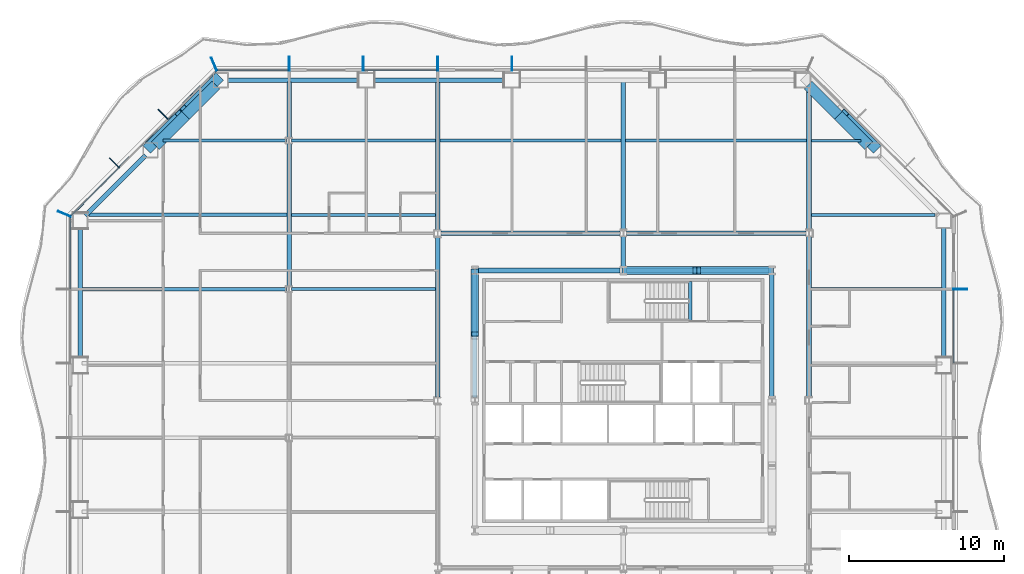
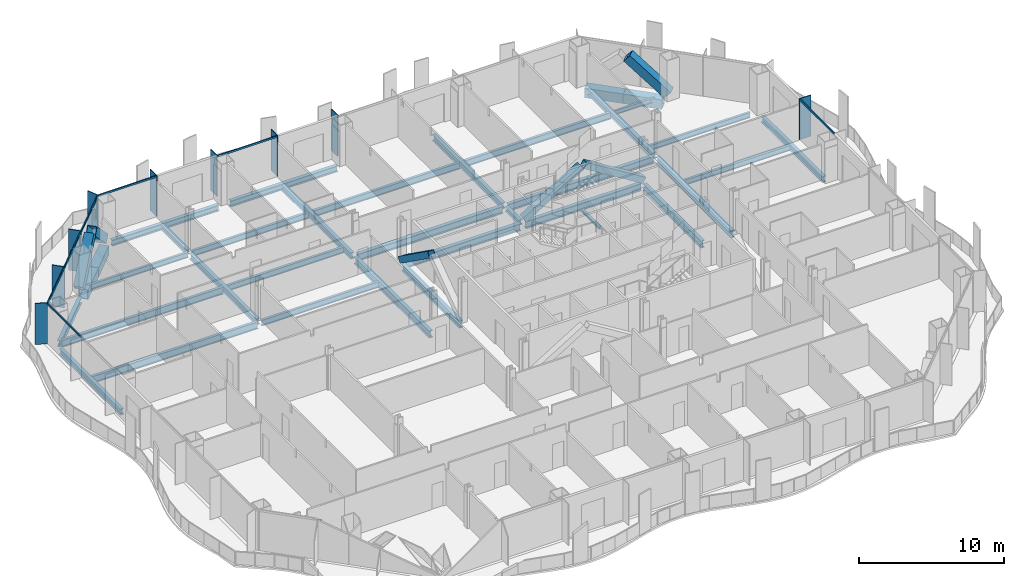
# One storey, part 3 of 20: 35 beams, 22 members, 4 elements without a shape of their own.
"""IFC4 building model written with IfcOpenShell, lengths in metres."""

from ifc_helpers import new_model, si_unit, direction, frame, origin, origin_2d, place, context, subcontext, project, spatial, rectangle, hollow_rectangle, i_section, extrude, material, material_profile, profile_set, type_object, element, aggregate, save


model = new_model("IFC4")

# Units and contexts
model_context = context("Model", 3, precision=1e-05, world=origin(), true_north=direction((0.0, 1.0)))
body_context = subcontext(model_context, "Body", "Model", "MODEL_VIEW")
ifc_project = project(units=[si_unit("LENGTHUNIT", "METRE"), si_unit("AREAUNIT", "SQUARE_METRE"), si_unit("VOLUMEUNIT", "CUBIC_METRE"), si_unit("PLANEANGLEUNIT", "RADIAN"), si_unit("MASSUNIT", "GRAM", prefix="KILO")], contexts=[model_context])

# Site, building, storey
site_placement = place(None, origin())
site = spatial("IfcSite", under=ifc_project, at=site_placement, CompositionType="ELEMENT")
building_placement = place(site_placement, origin())
building = spatial("IfcBuilding", under=site, at=building_placement, Name="Cairn Pilgrim Tower", CompositionType="ELEMENT")
storey_placement = place(building_placement, frame((0.0, 0.0, 61.800048828125)))
storey = spatial("IfcBuildingStorey", under=building, at=storey_placement, Name="L13", CompositionType="ELEMENT", Elevation=61.800048828125)

# Members
ifc_material_1 = material(Name="Structural steel S460M", Category="steel")
ifc_material_profile_1 = material_profile(ifc_material_1, hollow_rectangle(XDim=0.5, YDim=0.5, WallThickness=0.030029296875, at=origin_2d()), Name="BOX 500x500x30")
ifc_profile_set_1 = profile_set([ifc_material_profile_1], Name="Structural steel S460M")
member_type_1 = type_object("IfcMemberType", Name="BOX 500x500x30 BRACE", PredefinedType="BRACE", material=ifc_profile_set_1)
member_1_placement = place(storey_placement, frame((16.754638671875, 10.800048828125, 0.099853515625), z_axis=(-0.850917090612, 0.0, 0.525300014187), x_axis=(0.0, -1.0, 0.0)))
element("IfcMember", 1, at=member_1_placement, inside=storey, type_object=member_type_1, Name="KB-3A", PredefinedType="BRACE", context=body_context, shape_type="SweptSolid", body=[
    extrude(hollow_rectangle(XDim=0.5, YDim=0.5, WallThickness=0.030029296875, at=origin_2d()), origin(), (0.0, 0.0, 1.0), 5.525146484375),
])
member_2_placement = place(storey_placement, frame((7.245361328125, 10.800048828125, 0.099853515625), z_axis=(0.850919818074, 0.0, 0.52529559603), x_axis=(0.0, 1.0, 0.0)))
element("IfcMember", 2, at=member_2_placement, inside=storey, type_object=member_type_1, Name="KB-3B", PredefinedType="BRACE", context=body_context, shape_type="SweptSolid", body=[
    extrude(hollow_rectangle(XDim=0.5, YDim=0.5, WallThickness=0.030029296875, at=origin_2d()), origin(), (0.0, 0.0, 1.0), 5.375),
])
member_3_placement = place(storey_placement, frame((-2.39990234375, 10.754638671875, 0.099853515625), z_axis=(0.0, -0.814060275911, 0.580780394972), x_axis=(1.0, 0.0, 0.0)))
element("IfcMember", 3, at=member_3_placement, inside=storey, type_object=member_type_1, Name="KB-4A", PredefinedType="BRACE", context=body_context, shape_type="SweptSolid", body=[
    extrude(hollow_rectangle(XDim=0.5, YDim=0.5, WallThickness=0.030029296875, at=origin_2d()), origin(), (0.0, 0.0, 1.0), 4.9951171875),
])
ifc_material_profile_2 = material_profile(ifc_material_1, hollow_rectangle(XDim=0.699951171875, YDim=0.699951171875, WallThickness=0.0400390625, at=origin_2d()), Name="BOX 700x700x40")
ifc_profile_set_2 = profile_set([ifc_material_profile_2], Name="Structural steel S460M")
member_type_2 = type_object("IfcMemberType", Name="BOX 700x700x40 BRACE", PredefinedType="BRACE", material=ifc_profile_set_2)
member_4_placement = place(storey_placement, frame((23.44482421875, 18.786376953125, 0.14990234375), z_axis=(-0.528068439288, 0.528068439288, 0.665046950866), x_axis=(-0.707106781187, -0.707106781187, 0.0)))
element("IfcMember", 4, at=member_4_placement, inside=storey, type_object=member_type_2, Name="XB-NE2-N1-1", PredefinedType="BRACE", context=body_context, shape_type="SweptSolid", body=[
    extrude(hollow_rectangle(XDim=0.699951171875, YDim=0.699951171875, WallThickness=0.0400390625, at=origin_2d()), origin(), (0.0, 0.0, 1.0), 3.899658203125),
])
member_5_placement = place(storey_placement, frame((-19.0498046875, 23.181396484375, 0.14990234375), z_axis=(-0.528096125699, -0.528096125699, 0.665002980477), x_axis=(0.707106781187, -0.707106781187, 0.0)))
element("IfcMember", 5, at=member_5_placement, inside=storey, type_object=member_type_2, Name="XB-NW1-NW2-1", PredefinedType="BRACE", context=body_context, shape_type="SweptSolid", body=[
    extrude(hollow_rectangle(XDim=0.699951171875, YDim=0.699951171875, WallThickness=0.0400390625, at=origin_2d()), origin(), (0.0, 0.0, 1.0), 3.89990234375),
])
member_6_placement = place(storey_placement, frame((-23.44482421875, 18.786376953125, 0.14990234375), z_axis=(0.528068439288, 0.528068439288, 0.665046950866), x_axis=(-0.707106781187, 0.707106781187, 0.0)))
element("IfcMember", 6, at=member_6_placement, inside=storey, type_object=member_type_2, Name="XB-NW1-NW2-2", PredefinedType="BRACE", context=body_context, shape_type="SweptSolid", body=[
    extrude(hollow_rectangle(XDim=0.699951171875, YDim=0.699951171875, WallThickness=0.0400390625, at=origin_2d()), origin(), (0.0, 0.0, 1.0), 3.899658203125),
])

# Beams
ifc_material_2 = material(Name="Structural steel S355J2", Category="steel")
ifc_material_profile_3 = material_profile(ifc_material_2, hollow_rectangle(XDim=0.699951171875, YDim=0.800048828125, WallThickness=0.0400390625, at=origin_2d()), Name="BOX 700x800x40")
ifc_profile_set_3 = profile_set([ifc_material_profile_3], Name="Structural steel S355J2")
beam_type_1 = type_object("IfcBeamType", Name="BOX 700x800x40 RING GIRDER", PredefinedType="SPANDREL", material=ifc_profile_set_3)
for number, where, z_axis, x_axis, name in (
    (7, (23.04541015625, 18.8818359375, -0.550048828125), (-0.707106781187, 0.707106781187, 0.0), (-0.707106781187, -0.707106781187, 0.0), "RG1-NE2-N1-1"),
    (8, (21.095458984375, 20.831787109375, -0.550048828125), (-0.707106781187, 0.707106781187, 0.0), (-0.707106781187, -0.707106781187, 0.0), "RG1-NE2-N1-2"),
    (9, (-19.1455078125, 22.78173828125, -0.550048828125), (-0.707106781187, -0.707106781187, 0.0), (0.707106781187, -0.707106781187, 0.0), "RG1-NW1-NW2-1"),
    (10, (-21.095458984375, 20.831787109375, -0.550048828125), (-0.707106781187, -0.707106781187, 0.0), (0.707106781187, -0.707106781187, 0.0), "RG1-NW1-NW2-2"),
):
    element("IfcBeam", number, at=place(storey_placement, frame(where, z_axis=z_axis, x_axis=x_axis)), inside=storey, type_object=beam_type_1, Name=name, PredefinedType="SPANDREL", context=body_context, shape_type="SweptSolid", body=[
        extrude(hollow_rectangle(XDim=0.699951171875, YDim=0.800048828125, WallThickness=0.0400390625, at=origin_2d()), origin(), (0.0, 0.0, 1.0), 2.757568359375),
    ])

# Curtain wall, member
ifc_material_3 = material(Name="Aluminium alloy 6063-T6 bronze anodised with Bronze tinted laminated low-E glass 8+16+8.8", Category="aluminium")
curtain_wall_type_1 = type_object("IfcCurtainWallType", Name="TOWER STICK CURTAIN WALL EW", PredefinedType="NOTDEFINED", material=ifc_material_3)
curtain_wall_1_placement = place(storey_placement, origin())
curtain_wall_1 = element("IfcCurtainWall", 11, at=curtain_wall_1_placement, inside=storey, type_object=curtain_wall_type_1, Name="Tower Stick Curtain Wall Ew E", PredefinedType="NOTDEFINED")
ifc_material_4 = material(Name="Aluminium alloy 6063-T6 bronze anodised", Category="aluminium")
ifc_material_profile_4 = material_profile(ifc_material_4, rectangle(XDim=0.89990234375, YDim=0.06005859375, at=origin_2d()), Name="FIN MULLION 60x900 BRONZE")
ifc_profile_set_4 = profile_set([ifc_material_profile_4], Name="Aluminium alloy 6063-T6 bronze anodised")
member_type_3 = type_object("IfcMemberType", Name="FIN MULLION 60x900 BRONZE", PredefinedType="MULLION", material=ifc_profile_set_4)
member_7_placement = place(storey_placement, frame((28.969970703125, 9.60009765625, 0.0), z_axis=(0.0, 0.0, 1.0), x_axis=(1.0, 0.0, 0.0)))
member_7 = element("IfcMember", 12, at=member_7_placement, type_object=member_type_3, Name="Fin mullion E6", PredefinedType="MULLION", context=body_context, shape_type="SweptSolid", body=[
    extrude(rectangle(XDim=0.89990234375, YDim=0.06005859375, at=origin_2d()), origin(), (0.0, 0.0, 1.0), 3.449951171875),
])

# Curtain wall, members
curtain_wall_type_2 = type_object("IfcCurtainWallType", Name="TOWER STICK CURTAIN WALL NS", PredefinedType="NOTDEFINED", material=ifc_material_3)
curtain_wall_2_placement = place(storey_placement, origin())
curtain_wall_2 = element("IfcCurtainWall", 13, at=curtain_wall_2_placement, inside=storey, type_object=curtain_wall_type_2, Name="Tower Stick Curtain Wall Ns N", PredefinedType="NOTDEFINED")
member_8_placement = place(storey_placement, frame((0.0, 24.169921875, 0.0), z_axis=(0.0, 0.0, 1.0), x_axis=(0.0, 1.0, 0.0)))
member_8 = element("IfcMember", 14, at=member_8_placement, type_object=member_type_3, Name="Fin mullion N5", PredefinedType="MULLION", context=body_context, shape_type="SweptSolid", body=[
    extrude(rectangle(XDim=0.89990234375, YDim=0.06005859375, at=origin_2d()), origin(), (0.0, 0.0, 1.0), 3.449951171875),
])
member_9_placement = place(storey_placement, frame((-4.800048828125, 24.169921875, 0.0), z_axis=(0.0, 0.0, 1.0), x_axis=(0.0, 1.0, 0.0)))
member_9 = element("IfcMember", 15, at=member_9_placement, type_object=member_type_3, Name="Fin mullion N6", PredefinedType="MULLION", context=body_context, shape_type="SweptSolid", body=[
    extrude(rectangle(XDim=0.89990234375, YDim=0.06005859375, at=origin_2d()), origin(), (0.0, 0.0, 1.0), 3.449951171875),
])
member_10_placement = place(storey_placement, frame((-9.60009765625, 24.169921875, 0.0), z_axis=(0.0, 0.0, 1.0), x_axis=(0.0, 1.0, 0.0)))
member_10 = element("IfcMember", 16, at=member_10_placement, type_object=member_type_3, Name="Fin mullion N7", PredefinedType="MULLION", context=body_context, shape_type="SweptSolid", body=[
    extrude(rectangle(XDim=0.89990234375, YDim=0.06005859375, at=origin_2d()), origin(), (0.0, 0.0, 1.0), 3.449951171875),
])
member_11_placement = place(storey_placement, frame((-14.39990234375, 24.169921875, 0.0), z_axis=(0.0, 0.0, 1.0), x_axis=(0.0, 1.0, 0.0)))
member_11 = element("IfcMember", 17, at=member_11_placement, type_object=member_type_3, Name="Fin mullion N8", PredefinedType="MULLION", context=body_context, shape_type="SweptSolid", body=[
    extrude(rectangle(XDim=0.89990234375, YDim=0.06005859375, at=origin_2d()), origin(), (0.0, 0.0, 1.0), 3.449951171875),
])

curtain_wall_type_3 = type_object("IfcCurtainWallType", Name="CHAMFER CORNER CURTAIN WALL", PredefinedType="NOTDEFINED", material=ifc_material_3)
curtain_wall_3_placement = place(storey_placement, origin())
curtain_wall_3 = element("IfcCurtainWall", 18, at=curtain_wall_3_placement, inside=storey, type_object=curtain_wall_type_3, Name="Chamfer Corner Curtain Wall NW", PredefinedType="NOTDEFINED")
member_12_placement = place(storey_placement, frame((-19.257080078125, 24.137939453125, 0.0), z_axis=(0.0, 0.0, 1.0), x_axis=(-0.382683432365, 0.923879532511, 0.0)))
member_12 = element("IfcMember", 19, at=member_12_placement, type_object=member_type_3, Name="Fin mullion NW1", PredefinedType="MULLION", context=body_context, shape_type="SweptSolid", body=[
    extrude(rectangle(XDim=0.89990234375, YDim=0.06005859375, at=origin_2d()), origin(), (0.0, 0.0, 1.0), 3.449951171875),
])
member_13_placement = place(storey_placement, frame((-22.544677734375, 20.895751953125, 0.0), z_axis=(0.0, 0.0, 1.0), x_axis=(-0.707106781187, 0.707106781187, 0.0)))
member_13 = element("IfcMember", 20, at=member_13_placement, type_object=member_type_3, Name="Fin mullion NW2", PredefinedType="MULLION", context=body_context, shape_type="SweptSolid", body=[
    extrude(rectangle(XDim=0.89990234375, YDim=0.06005859375, at=origin_2d()), origin(), (0.0, 0.0, 1.0), 3.449951171875),
])
member_14_placement = place(storey_placement, frame((-25.69580078125, 17.74462890625, 0.0), z_axis=(0.0, 0.0, 1.0), x_axis=(-0.707106781187, 0.707106781187, 0.0)))
member_14 = element("IfcMember", 21, at=member_14_placement, type_object=member_type_3, Name="Fin mullion NW3", PredefinedType="MULLION", context=body_context, shape_type="SweptSolid", body=[
    extrude(rectangle(XDim=0.89990234375, YDim=0.06005859375, at=origin_2d()), origin(), (0.0, 0.0, 1.0), 3.449951171875),
])

# Curtain wall, member
curtain_wall_4_placement = place(storey_placement, origin())
curtain_wall_4 = element("IfcCurtainWall", 22, at=curtain_wall_4_placement, inside=storey, type_object=curtain_wall_type_1, Name="Tower Stick Curtain Wall Ew W", PredefinedType="NOTDEFINED")
member_15_placement = place(storey_placement, frame((-28.93798828125, 14.457275390625, 0.0), z_axis=(0.0, 0.0, 1.0), x_axis=(-0.923879532511, 0.382683432365, 0.0)))
member_15 = element("IfcMember", 23, at=member_15_placement, type_object=member_type_3, Name="Fin mullion W1", PredefinedType="MULLION", context=body_context, shape_type="SweptSolid", body=[
    extrude(rectangle(XDim=0.89990234375, YDim=0.06005859375, at=origin_2d()), origin(), (0.0, 0.0, 1.0), 3.449951171875),
])

# Beams
ifc_material_profile_5 = material_profile(ifc_material_2, i_section(OverallWidth=0.300048828125, OverallDepth=0.39990234375, WebThickness=0.013427734375, FlangeThickness=0.02392578125, FilletRadius=0.027099609375, at=origin_2d()), Name="HEB 400")
ifc_profile_set_5 = profile_set([ifc_material_profile_5], Name="Structural steel S355J2")
beam_type_2 = type_object("IfcBeamType", Name="HEB 400 GIRDER", PredefinedType="BEAM", material=ifc_profile_set_5)
beam_1_placement = place(storey_placement, frame((-14.39990234375, 19.404541015625, -0.35009765625), z_axis=(0.0, 1.0, 0.0), x_axis=(-1.0, 0.0, 0.0)))
element("IfcBeam", 24, at=beam_1_placement, inside=storey, type_object=beam_type_2, Name="PG1-6", PredefinedType="BEAM", context=body_context, shape_type="SweptSolid", body=[
    extrude(i_section(OverallWidth=0.300048828125, OverallDepth=0.39990234375, WebThickness=0.013427734375, FlangeThickness=0.02392578125, FilletRadius=0.027099609375, at=origin_2d()), origin(), (0.0, 0.0, 1.0), 3.575439453125),
])
beam_2_placement = place(storey_placement, frame((7.199951171875, 11.027099609375, -0.35009765625), z_axis=(0.0, 1.0, 0.0), x_axis=(-1.0, 0.0, 0.0)))
element("IfcBeam", 25, at=beam_2_placement, inside=storey, type_object=beam_type_2, Name="PG3-E2", PredefinedType="BEAM", context=body_context, shape_type="SweptSolid", body=[
    extrude(i_section(OverallWidth=0.300048828125, OverallDepth=0.39990234375, WebThickness=0.013427734375, FlangeThickness=0.02392578125, FilletRadius=0.027099609375, at=origin_2d()), origin(), (0.0, 0.0, 1.0), 1.9609375),
])
ifc_material_profile_6 = material_profile(ifc_material_2, i_section(OverallWidth=0.300048828125, OverallDepth=0.5, WebThickness=0.014404296875, FlangeThickness=0.028076171875, FilletRadius=0.027099609375, at=origin_2d()), Name="HEB 500")
ifc_profile_set_6 = profile_set([ifc_material_profile_6], Name="Structural steel S355J2")
beam_type_3 = type_object("IfcBeamType", Name="HEB 500 GIRDER", PredefinedType="BEAM", material=ifc_profile_set_6)
beam_3_placement = place(storey_placement, frame((-14.39990234375, 9.804443359375, -0.400146484375), z_axis=(0.0, 1.0, 0.0), x_axis=(-1.0, 0.0, 0.0)))
element("IfcBeam", 26, at=beam_3_placement, inside=storey, type_object=beam_type_3, Name="PG1-5", PredefinedType="BEAM", context=body_context, shape_type="SweptSolid", body=[
    extrude(i_section(OverallWidth=0.300048828125, OverallDepth=0.5, WebThickness=0.014404296875, FlangeThickness=0.028076171875, FilletRadius=0.027099609375, at=origin_2d()), origin(), (0.0, 0.0, 1.0), 9.191162109375),
])
for number, where, z_axis, x_axis, name in (
    (27, (-4.800048828125, 13.412109375, -0.400146484375), (0.0, 1.0, 0.0), (-1.0, 0.0, 0.0), "PG2-4"),
    (28, (7.199951171875, 13.412109375, -0.400146484375), (0.0, 1.0, 0.0), (-1.0, 0.0, 0.0), "PG3-2"),
):
    element("IfcBeam", number, at=place(storey_placement, frame(where, z_axis=z_axis, x_axis=x_axis)), inside=storey, type_object=beam_type_3, Name=name, PredefinedType="BEAM", context=body_context, shape_type="SweptSolid", body=[
        extrude(i_section(OverallWidth=0.300048828125, OverallDepth=0.5, WebThickness=0.014404296875, FlangeThickness=0.028076171875, FilletRadius=0.027099609375, at=origin_2d()), origin(), (0.0, 0.0, 1.0), 9.56787109375),
    ])
beam_4_placement = place(storey_placement, frame((19.199951171875, 13.412109375, -0.400146484375), z_axis=(0.0, 1.0, 0.0), x_axis=(-1.0, 0.0, 0.0)))
element("IfcBeam", 29, at=beam_4_placement, inside=storey, type_object=beam_type_3, Name="PG4-4", PredefinedType="BEAM", context=body_context, shape_type="SweptSolid", body=[
    extrude(i_section(OverallWidth=0.300048828125, OverallDepth=0.5, WebThickness=0.014404296875, FlangeThickness=0.028076171875, FilletRadius=0.027099609375, at=origin_2d()), origin(), (0.0, 0.0, 1.0), 9.133056640625),
])
ifc_material_profile_7 = material_profile(ifc_material_2, i_section(OverallWidth=0.300048828125, OverallDepth=0.5, WebThickness=0.014404296875, FlangeThickness=0.028076171875, FilletRadius=0.027099609375, at=origin_2d()), Name="HEB 500")
ifc_profile_set_7 = profile_set([ifc_material_profile_7], Name="Structural steel S355J2")
beam_type_4 = type_object("IfcBeamType", Name="HEB 500 RING GIRDER", PredefinedType="SPANDREL", material=ifc_profile_set_7)
beam_5_placement = place(storey_placement, frame((27.89990234375, 5.125732421875, -0.400146484375), z_axis=(0.0, 1.0, 0.0), x_axis=(-1.0, 0.0, 0.0)))
element("IfcBeam", 30, at=beam_5_placement, inside=storey, type_object=beam_type_4, Name="RG1-E3-NE1", PredefinedType="SPANDREL", context=body_context, shape_type="SweptSolid", body=[
    extrude(i_section(OverallWidth=0.300048828125, OverallDepth=0.5, WebThickness=0.014404296875, FlangeThickness=0.028076171875, FilletRadius=0.027099609375, at=origin_2d()), origin(), (0.0, 0.0, 1.0), 8.451416015625),
])
for number, where, z_axis, x_axis, name in (
    (31, (-0.449951171875, 23.10009765625, -0.400146484375), (-1.0, 0.0, 0.0), (0.0, -1.0, 0.0), "RG1-N3-N4"),
    (32, (-9.863525390625, 23.10009765625, -0.400146484375), (-1.0, 0.0, 0.0), (0.0, -1.0, 0.0), "RG1-N4-NW1"),
):
    element("IfcBeam", number, at=place(storey_placement, frame(where, z_axis=z_axis, x_axis=x_axis)), inside=storey, type_object=beam_type_4, Name=name, PredefinedType="SPANDREL", context=body_context, shape_type="SweptSolid", body=[
        extrude(i_section(OverallWidth=0.300048828125, OverallDepth=0.5, WebThickness=0.014404296875, FlangeThickness=0.028076171875, FilletRadius=0.027099609375, at=origin_2d()), origin(), (0.0, 0.0, 1.0), 8.513671875),
    ])
beam_6_placement = place(storey_placement, frame((-23.681884765625, 18.245361328125, -0.400146484375), z_axis=(-0.707106781187, -0.707106781187, 0.0), x_axis=(0.707106781187, -0.707106781187, 0.0)))
element("IfcBeam", 33, at=beam_6_placement, inside=storey, type_object=beam_type_4, Name="RG1-NW2-W1", PredefinedType="SPANDREL", context=body_context, shape_type="SweptSolid", body=[
    extrude(i_section(OverallWidth=0.300048828125, OverallDepth=0.5, WebThickness=0.014404296875, FlangeThickness=0.028076171875, FilletRadius=0.027099609375, at=origin_2d()), origin(), (0.0, 0.0, 1.0), 5.515380859375),
])
beam_7_placement = place(storey_placement, frame((-27.89990234375, 13.5771484375, -0.400146484375), z_axis=(0.0, -1.0, 0.0), x_axis=(1.0, 0.0, 0.0)))
element("IfcBeam", 34, at=beam_7_placement, inside=storey, type_object=beam_type_4, Name="RG1-W1-W2", PredefinedType="SPANDREL", context=body_context, shape_type="SweptSolid", body=[
    extrude(i_section(OverallWidth=0.300048828125, OverallDepth=0.5, WebThickness=0.014404296875, FlangeThickness=0.028076171875, FilletRadius=0.027099609375, at=origin_2d()), origin(), (0.0, 0.0, 1.0), 8.451416015625),
])
ifc_material_profile_8 = material_profile(ifc_material_2, i_section(OverallWidth=0.300048828125, OverallDepth=0.60009765625, WebThickness=0.015380859375, FlangeThickness=0.030029296875, FilletRadius=0.027099609375, at=origin_2d()), Name="HEB 600")
ifc_profile_set_8 = profile_set([ifc_material_profile_8], Name="Structural steel S355J2")
beam_type_5 = type_object("IfcBeamType", Name="HEB 600 CORE BEAM", PredefinedType="BEAM", material=ifc_profile_set_8)
beam_8_placement = place(storey_placement, frame((16.800048828125, 2.604248046875, -0.449951171875), z_axis=(0.0, 1.0, 0.0), x_axis=(-1.0, 0.0, 0.0)))
element("IfcBeam", 35, at=beam_8_placement, inside=storey, type_object=beam_type_5, Name="CB-4", PredefinedType="BEAM", context=body_context, shape_type="SweptSolid", body=[
    extrude(i_section(OverallWidth=0.300048828125, OverallDepth=0.60009765625, WebThickness=0.015380859375, FlangeThickness=0.030029296875, FilletRadius=0.027099609375, at=origin_2d()), origin(), (0.0, 0.0, 1.0), 7.991455078125),
])
for number, where, z_axis, x_axis, name in (
    (36, (16.595703125, 10.800048828125, -0.449951171875), (-1.0, 0.0, 0.0), (0.0, -1.0, 0.0), "CB-5"),
    (37, (6.99560546875, 10.800048828125, -0.449951171875), (-1.0, 0.0, 0.0), (0.0, -1.0, 0.0), "CB-6"),
):
    element("IfcBeam", number, at=place(storey_placement, frame(where, z_axis=z_axis, x_axis=x_axis)), inside=storey, type_object=beam_type_5, Name=name, PredefinedType="BEAM", context=body_context, shape_type="SweptSolid", body=[
        extrude(i_section(OverallWidth=0.300048828125, OverallDepth=0.60009765625, WebThickness=0.015380859375, FlangeThickness=0.030029296875, FilletRadius=0.027099609375, at=origin_2d()), origin(), (0.0, 0.0, 1.0), 9.19140625),
    ])
beam_9_placement = place(storey_placement, frame((-2.39990234375, 10.595703125, -0.449951171875), z_axis=(0.0, -1.0, 0.0), x_axis=(1.0, 0.0, 0.0)))
element("IfcBeam", 38, at=beam_9_placement, inside=storey, type_object=beam_type_5, Name="CB-7", PredefinedType="BEAM", context=body_context, shape_type="SweptSolid", body=[
    extrude(i_section(OverallWidth=0.300048828125, OverallDepth=0.60009765625, WebThickness=0.015380859375, FlangeThickness=0.030029296875, FilletRadius=0.027099609375, at=origin_2d()), origin(), (0.0, 0.0, 1.0), 7.991455078125),
])
ifc_material_profile_9 = material_profile(ifc_material_2, i_section(OverallWidth=0.300048828125, OverallDepth=0.60009765625, WebThickness=0.015380859375, FlangeThickness=0.030029296875, FilletRadius=0.027099609375, at=origin_2d()), Name="HEB 600")
ifc_profile_set_9 = profile_set([ifc_material_profile_9], Name="Structural steel S355J2")
beam_type_6 = type_object("IfcBeamType", Name="HEB 600 GIRDER", PredefinedType="BEAM", material=ifc_profile_set_9)
for number, where, z_axis, x_axis, name in (
    (39, (-4.800048828125, 2.612060546875, -0.449951171875), (0.0, 1.0, 0.0), (-1.0, 0.0, 0.0), "PG2-3"),
    (40, (19.199951171875, 2.612060546875, -0.449951171875), (0.0, 1.0, 0.0), (-1.0, 0.0, 0.0), "PG4-3"),
):
    element("IfcBeam", number, at=place(storey_placement, frame(where, z_axis=z_axis, x_axis=x_axis)), inside=storey, type_object=beam_type_6, Name=name, PredefinedType="BEAM", context=body_context, shape_type="SweptSolid", body=[
        extrude(i_section(OverallWidth=0.300048828125, OverallDepth=0.60009765625, WebThickness=0.015380859375, FlangeThickness=0.030029296875, FilletRadius=0.027099609375, at=origin_2d()), origin(), (0.0, 0.0, 1.0), 10.3759765625),
    ])
ifc_material_profile_10 = material_profile(ifc_material_2, i_section(OverallWidth=0.300048828125, OverallDepth=0.60009765625, WebThickness=0.015380859375, FlangeThickness=0.030029296875, FilletRadius=0.027099609375, at=origin_2d()), Name="HEB 600")
ifc_profile_set_10 = profile_set([ifc_material_profile_10], Name="Structural steel S355J2")
beam_type_7 = type_object("IfcBeamType", Name="HEB 600 INNER GIRDER", PredefinedType="BEAM", material=ifc_profile_set_10)
for number, where, z_axis, x_axis, name in (
    (41, (-4.587890625, 13.199951171875, -0.449951171875), (1.0, 0.0, 0.0), (0.0, 1.0, 0.0), "IG2-1"),
    (42, (7.412109375, 13.199951171875, -0.449951171875), (1.0, 0.0, 0.0), (0.0, 1.0, 0.0), "IG2-2"),
):
    element("IfcBeam", number, at=place(storey_placement, frame(where, z_axis=z_axis, x_axis=x_axis)), inside=storey, type_object=beam_type_7, Name=name, PredefinedType="BEAM", context=body_context, shape_type="SweptSolid", body=[
        extrude(i_section(OverallWidth=0.300048828125, OverallDepth=0.60009765625, WebThickness=0.015380859375, FlangeThickness=0.030029296875, FilletRadius=0.027099609375, at=origin_2d()), origin(), (0.0, 0.0, 1.0), 11.575927734375),
    ])
ifc_material_profile_11 = material_profile(ifc_material_2, i_section(OverallWidth=0.169921875, OverallDepth=0.360107421875, WebThickness=0.008056640625, FlangeThickness=0.0126953125, FilletRadius=0.01806640625, at=origin_2d()), Name="IPE 360")
ifc_profile_set_11 = profile_set([ifc_material_profile_11], Name="Structural steel S355J2")
beam_type_8 = type_object("IfcBeamType", Name="IPE 360 SECONDARY BEAM", PredefinedType="JOIST", material=ifc_profile_set_11)
beam_10_placement = place(storey_placement, frame((19.35009765625, 19.199951171875, -0.330078125), z_axis=(1.0, 0.0, 0.0), x_axis=(0.0, 1.0, 0.0)))
element("IfcBeam", 43, at=beam_10_placement, inside=storey, type_object=beam_type_8, Name="SB9-5", PredefinedType="JOIST", context=body_context, shape_type="SweptSolid", body=[
    extrude(i_section(OverallWidth=0.169921875, OverallDepth=0.360107421875, WebThickness=0.008056640625, FlangeThickness=0.0126953125, FilletRadius=0.01806640625, at=origin_2d()), origin(), (0.0, 0.0, 1.0), 3.195068359375),
])
ifc_material_profile_12 = material_profile(ifc_material_2, i_section(OverallWidth=0.18994140625, OverallDepth=0.449951171875, WebThickness=0.009521484375, FlangeThickness=0.0146484375, FilletRadius=0.02099609375, at=origin_2d()), Name="IPE 450")
ifc_profile_set_12 = profile_set([ifc_material_profile_12], Name="Structural steel S355J2")
beam_type_9 = type_object("IfcBeamType", Name="IPE 450 SECONDARY BEAM", PredefinedType="JOIST", material=ifc_profile_set_12)
beam_11_placement = place(storey_placement, frame((19.35009765625, 9.60009765625, -0.375), z_axis=(1.0, 0.0, 0.0), x_axis=(0.0, 1.0, 0.0)))
element("IfcBeam", 44, at=beam_11_placement, inside=storey, type_object=beam_type_9, Name="SB7-3", PredefinedType="JOIST", context=body_context, shape_type="SweptSolid", body=[
    extrude(i_section(OverallWidth=0.18994140625, OverallDepth=0.449951171875, WebThickness=0.009521484375, FlangeThickness=0.0146484375, FilletRadius=0.02099609375, at=origin_2d()), origin(), (0.0, 0.0, 1.0), 8.429931640625),
])
for number, where, z_axis, x_axis, name in (
    (45, (19.35009765625, 14.39990234375, -0.375), (1.0, 0.0, 0.0), (0.0, 1.0, 0.0), "SB8-3"),
    (46, (-22.545166015625, 19.199951171875, -0.375), (1.0, 0.0, 0.0), (0.0, 1.0, 0.0), "SB9-1"),
):
    element("IfcBeam", number, at=place(storey_placement, frame(where, z_axis=z_axis, x_axis=x_axis)), inside=storey, type_object=beam_type_9, Name=name, PredefinedType="JOIST", context=body_context, shape_type="SweptSolid", body=[
        extrude(i_section(OverallWidth=0.18994140625, OverallDepth=0.449951171875, WebThickness=0.009521484375, FlangeThickness=0.0146484375, FilletRadius=0.02099609375, at=origin_2d()), origin(), (0.0, 0.0, 1.0), 7.9951171875),
    ])
ifc_material_profile_13 = material_profile(ifc_material_2, i_section(OverallWidth=0.199951171875, OverallDepth=0.5, WebThickness=0.01025390625, FlangeThickness=0.01611328125, FilletRadius=0.02099609375, at=origin_2d()), Name="IPE 500")
ifc_profile_set_13 = profile_set([ifc_material_profile_13], Name="Structural steel S355J2")
beam_type_10 = type_object("IfcBeamType", Name="IPE 500 SECONDARY BEAM", PredefinedType="JOIST", material=ifc_profile_set_13)
for number, where, z_axis, x_axis, name in (
    (47, (-14.25, 9.60009765625, -0.400146484375), (1.0, 0.0, 0.0), (0.0, 1.0, 0.0), "SB7-2"),
    (48, (-14.25, 14.39990234375, -0.400146484375), (1.0, 0.0, 0.0), (0.0, 1.0, 0.0), "SB8-2"),
    (49, (-14.25, 19.199951171875, -0.400146484375), (1.0, 0.0, 0.0), (0.0, 1.0, 0.0), "SB9-2"),
):
    element("IfcBeam", number, at=place(storey_placement, frame(where, z_axis=z_axis, x_axis=x_axis)), inside=storey, type_object=beam_type_10, Name=name, PredefinedType="JOIST", context=body_context, shape_type="SweptSolid", body=[
        extrude(i_section(OverallWidth=0.199951171875, OverallDepth=0.5, WebThickness=0.01025390625, FlangeThickness=0.01611328125, FilletRadius=0.02099609375, at=origin_2d()), origin(), (0.0, 0.0, 1.0), 9.300048828125),
    ])
ifc_material_profile_14 = material_profile(ifc_material_2, i_section(OverallWidth=0.2099609375, OverallDepth=0.550048828125, WebThickness=0.010986328125, FlangeThickness=0.01708984375, FilletRadius=0.02392578125, at=origin_2d()), Name="IPE 550")
ifc_profile_set_14 = profile_set([ifc_material_profile_14], Name="Structural steel S355J2")
beam_type_11 = type_object("IfcBeamType", Name="IPE 550 SECONDARY BEAM", PredefinedType="JOIST", material=ifc_profile_set_14)
for number, where, z_axis, x_axis, name in (
    (50, (-4.64990234375, 19.199951171875, -0.425048828125), (1.0, 0.0, 0.0), (0.0, 1.0, 0.0), "SB9-3"),
    (51, (7.35009765625, 19.199951171875, -0.425048828125), (1.0, 0.0, 0.0), (0.0, 1.0, 0.0), "SB9-4"),
):
    element("IfcBeam", number, at=place(storey_placement, frame(where, z_axis=z_axis, x_axis=x_axis)), inside=storey, type_object=beam_type_11, Name=name, PredefinedType="JOIST", context=body_context, shape_type="SweptSolid", body=[
        extrude(i_section(OverallWidth=0.2099609375, OverallDepth=0.550048828125, WebThickness=0.010986328125, FlangeThickness=0.01708984375, FilletRadius=0.02392578125, at=origin_2d()), origin(), (0.0, 0.0, 1.0), 11.699951171875),
    ])
ifc_material_profile_15 = material_profile(ifc_material_2, i_section(OverallWidth=0.219970703125, OverallDepth=0.60009765625, WebThickness=0.011962890625, FlangeThickness=0.01904296875, FilletRadius=0.02392578125, at=origin_2d()), Name="IPE 600")
ifc_profile_set_15 = profile_set([ifc_material_profile_15], Name="Structural steel S355J2")
beam_type_12 = type_object("IfcBeamType", Name="IPE 600 SECONDARY BEAM", PredefinedType="JOIST", material=ifc_profile_set_15)
beam_12_placement = place(storey_placement, frame((-27.780029296875, 9.60009765625, -0.449951171875), z_axis=(1.0, 0.0, 0.0), x_axis=(0.0, 1.0, 0.0)))
element("IfcBeam", 52, at=beam_12_placement, inside=storey, type_object=beam_type_12, Name="SB7-1", PredefinedType="JOIST", context=body_context, shape_type="SweptSolid", body=[
    extrude(i_section(OverallWidth=0.219970703125, OverallDepth=0.60009765625, WebThickness=0.011962890625, FlangeThickness=0.01904296875, FilletRadius=0.02392578125, at=origin_2d()), origin(), (0.0, 0.0, 1.0), 13.22998046875),
])
beam_13_placement = place(storey_placement, frame((-27.34521484375, 14.39990234375, -0.449951171875), z_axis=(1.0, 0.0, 0.0), x_axis=(0.0, 1.0, 0.0)))
element("IfcBeam", 53, at=beam_13_placement, inside=storey, type_object=beam_type_12, Name="SB8-1", PredefinedType="JOIST", context=body_context, shape_type="SweptSolid", body=[
    extrude(i_section(OverallWidth=0.219970703125, OverallDepth=0.60009765625, WebThickness=0.011962890625, FlangeThickness=0.01904296875, FilletRadius=0.02392578125, at=origin_2d()), origin(), (0.0, 0.0, 1.0), 12.795166015625),
])
ifc_material_profile_16 = material_profile(ifc_material_2, i_section(OverallWidth=0.199951171875, OverallDepth=0.199951171875, WebThickness=0.009033203125, FlangeThickness=0.014892578125, FilletRadius=0.01806640625, at=origin_2d()), Name="HE 200 B")
ifc_profile_set_16 = profile_set([ifc_material_profile_16], Name="Structural steel S355J2")
beam_type_13 = type_object("IfcBeamType", Name="STAIR LANDING BEAM HE 200 B", PredefinedType="BEAM", material=ifc_profile_set_16)
beam_14_placement = place(storey_placement, frame((11.5244140625, 10.10009765625, -0.25), z_axis=(0.0, -1.0, 0.0), x_axis=(1.0, 0.0, 0.0)))
element("IfcBeam", 54, at=beam_14_placement, inside=storey, type_object=beam_type_13, Name="STAIR LANDING BEAM LD-HE200B", PredefinedType="BEAM", context=body_context, shape_type="SweptSolid", body=[
    extrude(i_section(OverallWidth=0.199951171875, OverallDepth=0.199951171875, WebThickness=0.009033203125, FlangeThickness=0.014892578125, FilletRadius=0.01806640625, at=origin_2d()), origin(), (0.0, 0.0, 1.0), 2.525146484375),
])

# Member
ifc_material_profile_17 = material_profile(ifc_material_4, rectangle(XDim=0.080078125, YDim=0.14990234375, at=origin_2d()), Name="TRANSOM 80x150 BRONZE")
ifc_profile_set_17 = profile_set([ifc_material_profile_17], Name="Aluminium alloy 6063-T6 bronze anodised")
member_type_4 = type_object("IfcMemberType", Name="TRANSOM 80x150 BRONZE", PredefinedType="USERDEFINED", material=ifc_profile_set_17)
member_16_placement = place(storey_placement, frame((28.550048828125, 4.830078125, 3.375), z_axis=(0.0, 1.0, 0.0), x_axis=(-1.0, 0.0, 0.0)))
member_16 = element("IfcMember", 55, at=member_16_placement, type_object=member_type_4, Name="Transom E5", ObjectType="TRANSOM", PredefinedType="USERDEFINED", context=body_context, shape_type="SweptSolid", body=[
    extrude(rectangle(XDim=0.080078125, YDim=0.14990234375, at=origin_2d()), origin(), (0.0, 0.0, 1.0), 4.739990234375),
])

aggregate(curtain_wall_1, [member_7, member_16])

member_17_placement = place(storey_placement, frame((-4.830078125, 23.75, 3.375), z_axis=(-1.0, 0.0, 0.0), x_axis=(0.0, -1.0, 0.0)))
member_17 = element("IfcMember", 56, at=member_17_placement, type_object=member_type_4, Name="Transom N6", ObjectType="TRANSOM", PredefinedType="USERDEFINED", context=body_context, shape_type="SweptSolid", body=[
    extrude(rectangle(XDim=0.080078125, YDim=0.14990234375, at=origin_2d()), origin(), (0.0, 0.0, 1.0), 4.739990234375),
])

member_18_placement = place(storey_placement, frame((-14.429931640625, 23.75, 3.375), z_axis=(-1.0, 0.0, 0.0), x_axis=(0.0, -1.0, 0.0)))
member_18 = element("IfcMember", 57, at=member_18_placement, type_object=member_type_4, Name="Transom N8", ObjectType="TRANSOM", PredefinedType="USERDEFINED", context=body_context, shape_type="SweptSolid", body=[
    extrude(rectangle(XDim=0.080078125, YDim=0.14990234375, at=origin_2d()), origin(), (0.0, 0.0, 1.0), 4.62646484375),
])

aggregate(curtain_wall_2, [member_8, member_9, member_10, member_11, member_17, member_18])

member_19_placement = place(storey_placement, frame((-19.124755859375, 23.7216796875, 3.375), z_axis=(-0.707106781187, -0.707106781187, 0.0), x_axis=(0.707106781187, -0.707106781187, 0.0)))
member_19 = element("IfcMember", 58, at=member_19_placement, type_object=member_type_4, Name="Transom NW1", ObjectType="TRANSOM", PredefinedType="USERDEFINED", context=body_context, shape_type="SweptSolid", body=[
    extrude(rectangle(XDim=0.080078125, YDim=0.14990234375, at=origin_2d()), origin(), (0.0, 0.0, 1.0), 4.38623046875),
])

member_20_placement = place(storey_placement, frame((-22.268798828125, 20.57763671875, 3.375), z_axis=(-0.707106781187, -0.707106781187, 0.0), x_axis=(0.707106781187, -0.707106781187, 0.0)))
member_20 = element("IfcMember", 59, at=member_20_placement, type_object=member_type_4, Name="Transom NW2", ObjectType="TRANSOM", PredefinedType="USERDEFINED", context=body_context, shape_type="SweptSolid", body=[
    extrude(rectangle(XDim=0.080078125, YDim=0.14990234375, at=origin_2d()), origin(), (0.0, 0.0, 1.0), 4.396728515625),
])

member_21_placement = place(storey_placement, frame((-25.419921875, 17.426513671875, 3.375), z_axis=(-0.707106781187, -0.707106781187, 0.0), x_axis=(0.707106781187, -0.707106781187, 0.0)))
member_21 = element("IfcMember", 60, at=member_21_placement, type_object=member_type_4, Name="Transom NW3", ObjectType="TRANSOM", PredefinedType="USERDEFINED", context=body_context, shape_type="SweptSolid", body=[
    extrude(rectangle(XDim=0.080078125, YDim=0.14990234375, at=origin_2d()), origin(), (0.0, 0.0, 1.0), 4.38671875),
])

aggregate(curtain_wall_3, [member_12, member_13, member_14, member_19, member_20, member_21])

member_22_placement = place(storey_placement, frame((-28.550048828125, 14.25634765625, 3.375), z_axis=(0.0, -1.0, 0.0), x_axis=(1.0, 0.0, 0.0)))
member_22 = element("IfcMember", 61, at=member_22_placement, type_object=member_type_4, Name="Transom W1", ObjectType="TRANSOM", PredefinedType="USERDEFINED", context=body_context, shape_type="SweptSolid", body=[
    extrude(rectangle(XDim=0.080078125, YDim=0.14990234375, at=origin_2d()), origin(), (0.0, 0.0, 1.0), 4.62646484375),
])

aggregate(curtain_wall_4, [member_15, member_22])

save(model, "model.ifc")
